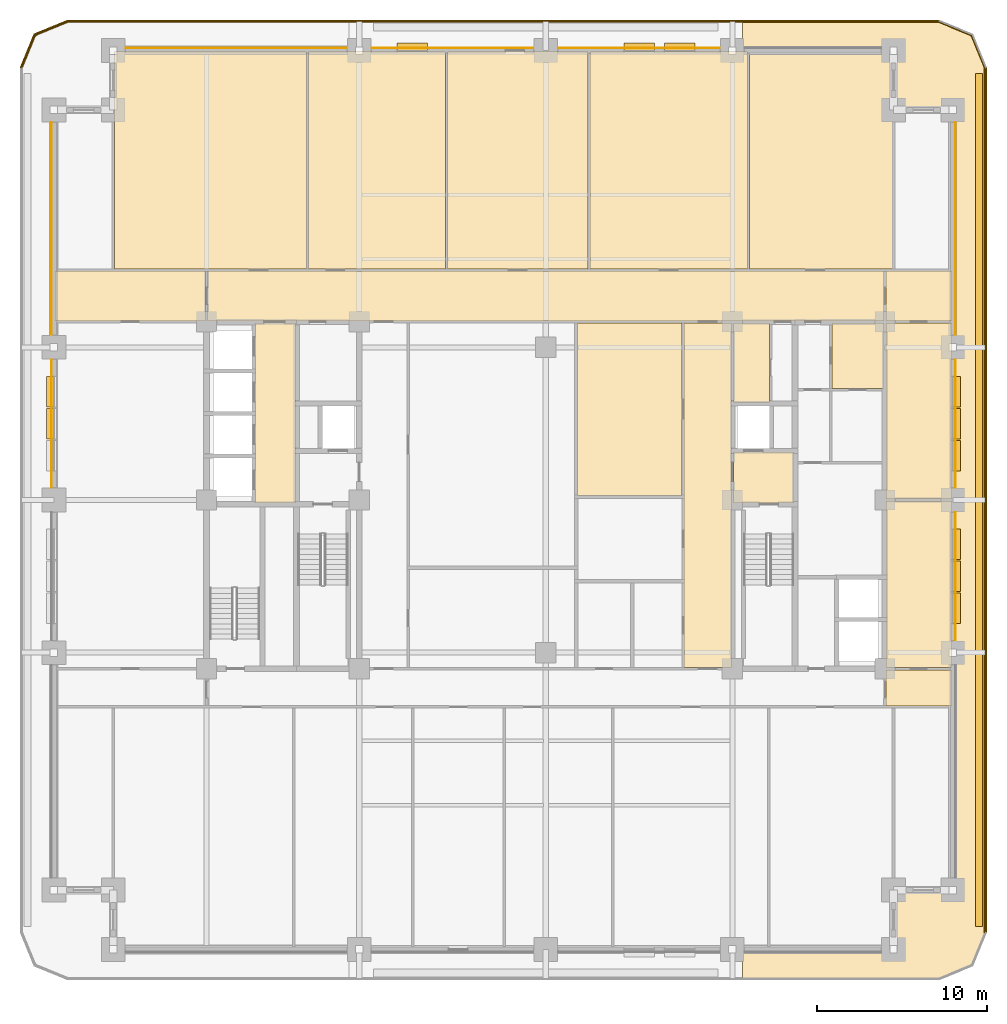
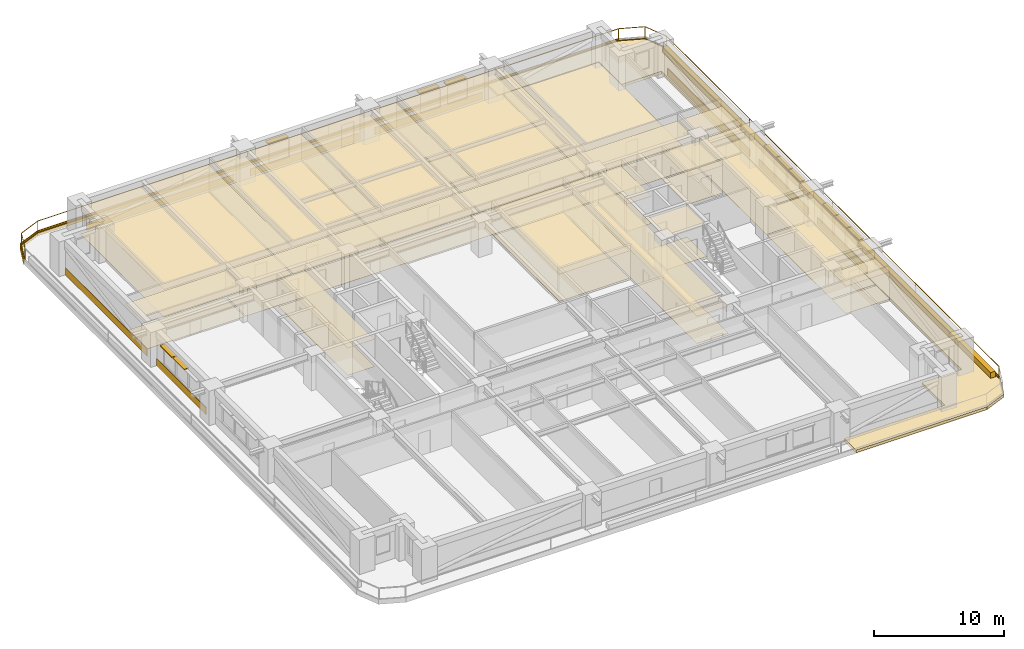
# One storey, part 15 of 16: 47 coverings, 11 shading devices, 2 railings.
"""IFC4 building model written with IfcOpenShell, lengths in metres."""

from ifc_helpers import new_model, si_unit, direction, frame, frame_2d, origin, origin_2d, place, context, subcontext, project, spatial, polyline, rectangle, outline, extrude, material, layer, layer_set, type_object, element, save


model = new_model("IFC4")

# Units and contexts
model_context = context("Model", 3, precision=1e-05, world=origin(), true_north=direction((0.0, 1.0)))
body_context = subcontext(model_context, "Body", "Model", "MODEL_VIEW")
ifc_project = project(units=[si_unit("LENGTHUNIT", "METRE"), si_unit("AREAUNIT", "SQUARE_METRE"), si_unit("VOLUMEUNIT", "CUBIC_METRE"), si_unit("PLANEANGLEUNIT", "RADIAN"), si_unit("MASSUNIT", "GRAM", prefix="KILO")], contexts=[model_context])

# Site, building, storey
site_placement = place(None, origin())
site = spatial("IfcSite", under=ifc_project, at=site_placement, CompositionType="ELEMENT")
building_placement = place(site_placement, origin())
building = spatial("IfcBuilding", under=site, at=building_placement, Name="Zulmaris Gate Convention Tower", CompositionType="ELEMENT")
storey_placement = place(building_placement, frame((0.0, 0.0, 67.89990234375)))
storey = spatial("IfcBuildingStorey", under=building, at=storey_placement, Name="L16", CompositionType="ELEMENT", Elevation=67.89990234375)

# Coverings
ifc_material_1 = material(Name="Precast concrete C40/50", Category="concrete")
ifc_layer_1 = layer(ifc_material_1, 0.0400390625, Name="Precast concrete C40/50")
ifc_layer_set_1 = layer_set([ifc_layer_1], Name="Precast concrete C40/50")
covering_type_1 = type_object("IfcCoveringType", Name="CLAD-SPANDREL-PRECAST", PredefinedType="CLADDING", material=ifc_layer_set_1)
covering_1_placement = place(storey_placement, frame((-11.72998046875, 26.64990234375, 0.0), z_axis=(0.0, 0.0, 1.0), x_axis=(-1.0, 0.0, 0.0)))
element("IfcCovering", 1, at=covering_1_placement, inside=storey, type_object=covering_type_1, Name="CLD-L16-N-0_0", PredefinedType="CLADDING", context=body_context, shape_type="SweptSolid", body=[
    extrude(rectangle(XDim=13.0400390625, YDim=0.0400390625, at=frame_2d((6.52001953125, 0.0))), origin(), (0.0, 0.0, 1.0), 0.679931640625),
])
for number, where, z_axis, x_axis, name in (
    (2, (-0.72998046875, 26.64990234375, 0.0), (0.0, 0.0, 1.0), (-1.0, 0.0, 0.0), "CLD-L16-N-1_0"),
    (3, (10.27001953125, 26.64990234375, 0.0), (0.0, 0.0, 1.0), (-1.0, 0.0, 0.0), "CLD-L16-N-2_0"),
):
    element("IfcCovering", number, at=place(storey_placement, frame(where, z_axis=z_axis, x_axis=x_axis)), inside=storey, type_object=covering_type_1, Name=name, PredefinedType="CLADDING", context=body_context, shape_type="SweptSolid", body=[
        extrude(rectangle(XDim=9.5400390625, YDim=0.0400390625, at=frame_2d((4.77001953125, 0.0))), origin(), (0.0, 0.0, 1.0), 0.679931640625),
    ])
for number, where, z_axis, x_axis, name in (
    (4, (24.14990234375, -8.27001953125, 0.0), (0.0, 0.0, 1.0), (0.0, 1.0, 0.0), "CLD-L16-E-1_0"),
    (5, (24.14990234375, 0.72998046875, 0.0), (0.0, 0.0, 1.0), (0.0, 1.0, 0.0), "CLD-L16-E-2_0"),
):
    element("IfcCovering", number, at=place(storey_placement, frame(where, z_axis=z_axis, x_axis=x_axis)), inside=storey, type_object=covering_type_1, Name=name, PredefinedType="CLADDING", context=body_context, shape_type="SweptSolid", body=[
        extrude(rectangle(XDim=7.5400390625, YDim=0.0400390625, at=frame_2d((3.77001953125, 0.0))), origin(), (0.0, 0.0, 1.0), 0.679931640625),
    ])
covering_2_placement = place(storey_placement, frame((24.14990234375, 9.72998046875, 0.0), z_axis=(0.0, 0.0, 1.0), x_axis=(0.0, 1.0, 0.0)))
element("IfcCovering", 6, at=covering_2_placement, inside=storey, type_object=covering_type_1, Name="CLD-L16-E-3_0", PredefinedType="CLADDING", context=body_context, shape_type="SweptSolid", body=[
    extrude(rectangle(XDim=12.5400390625, YDim=0.0400390625, at=frame_2d((6.27001953125, 0.0))), origin(), (0.0, 0.0, 1.0), 0.679931640625),
])
covering_3_placement = place(storey_placement, frame((-29.14990234375, 8.27001953125, 0.0), z_axis=(0.0, 0.0, 1.0), x_axis=(0.0, -1.0, 0.0)))
element("IfcCovering", 7, at=covering_3_placement, inside=storey, type_object=covering_type_1, Name="CLD-L16-W-2_0", PredefinedType="CLADDING", context=body_context, shape_type="SweptSolid", body=[
    extrude(rectangle(XDim=7.5400390625, YDim=0.0400390625, at=frame_2d((3.77001953125, 0.0))), origin(), (0.0, 0.0, 1.0), 0.679931640625),
])
covering_4_placement = place(storey_placement, frame((-29.14990234375, 22.27001953125, 0.0), z_axis=(0.0, 0.0, 1.0), x_axis=(0.0, -1.0, 0.0)))
element("IfcCovering", 8, at=covering_4_placement, inside=storey, type_object=covering_type_1, Name="CLD-L16-W-3_0", PredefinedType="CLADDING", context=body_context, shape_type="SweptSolid", body=[
    extrude(rectangle(XDim=12.5400390625, YDim=0.0400390625, at=frame_2d((6.27001953125, 0.0))), origin(), (0.0, 0.0, 1.0), 0.679931640625),
])
ifc_material_2 = material(Name="White Glazed Architectural Precast Concrete C40/50", Category="concrete")
ifc_layer_2 = layer(ifc_material_2, 0.239990234375, Name="White Glazed Architectural Precast Concrete C40/50")
ifc_layer_set_2 = layer_set([ifc_layer_2], Name="White Glazed Architectural Precast Concrete C40/50")
covering_type_2 = type_object("IfcCoveringType", Name="CLAD-TRAY-DECK", PredefinedType="CLADDING", material=ifc_layer_set_2)
covering_5_placement = place(storey_placement, frame((0.0, 0.0, -0.25)))
element("IfcCovering", 9, at=covering_5_placement, inside=storey, type_object=covering_type_2, Name="L16 East Rounded-Fascia Planter Tray Deck", PredefinedType="CLADDING", context=body_context, shape_type="SweptSolid", body=[
    extrude(outline(polyline([(23.199951171875, 28.300048828125), (25.179931640625, 27.47998046875), (26.0, 25.5), (26.0, -25.5), (25.179931640625, -27.47998046875), (23.199951171875, -28.300048828125), (11.60205078125, -28.300048828125), (11.60205078125, -26.5), (20.5, -26.5), (20.5, -23.0), (24.0, -23.0), (24.0, 23.0), (20.5, 23.0), (20.5, 26.5), (11.60205078125, 26.5), (11.60205078125, 28.300048828125), (23.199951171875, 28.300048828125)])), origin(), (0.0, 0.0, 1.0), 0.260009765625),
])
ifc_layer_3 = layer(ifc_material_2, 0.080078125, Name="White Glazed Architectural Precast Concrete C40/50")
ifc_layer_set_3 = layer_set([ifc_layer_3], Name="White Glazed Architectural Precast Concrete C40/50")
covering_type_3 = type_object("IfcCoveringType", Name="CLAD-TRAY-FASCIA", PredefinedType="CLADDING", material=ifc_layer_set_3)
covering_6_placement = place(storey_placement, frame((25.9599609375, -25.5, -0.2900390625), z_axis=(0.0, 0.0, 1.0), x_axis=(0.0, 1.0, 0.0)))
element("IfcCovering", 10, at=covering_6_placement, inside=storey, type_object=covering_type_3, Name="FSC-L16-TR-05", PredefinedType="CLADDING", context=body_context, shape_type="SweptSolid", body=[
    extrude(rectangle(XDim=51.0, YDim=0.080078125, at=frame_2d((25.5, 0.0))), origin(), (0.0, 0.0, 1.0), 0.4599609375),
])
covering_7_placement = place(storey_placement, frame((23.199951171875, 28.260009765625, -0.2900390625), z_axis=(0.0, 0.0, 1.0), x_axis=(-1.0, 0.0, 0.0)))
element("IfcCovering", 11, at=covering_7_placement, inside=storey, type_object=covering_type_3, Name="FSC-L16-TR-08", PredefinedType="CLADDING", context=body_context, shape_type="SweptSolid", body=[
    extrude(rectangle(XDim=51.39990234375, YDim=0.080078125, at=frame_2d((25.699951171875, 0.0))), origin(), (0.0, 0.0, 1.0), 0.4599609375),
])
covering_8_placement = place(storey_placement, frame((-28.184814453125, 28.262939453125, -0.2900390625), z_axis=(0.0, 0.0, 1.0), x_axis=(-0.923873803533, -0.382697263049, 0.0)))
element("IfcCovering", 12, at=covering_8_placement, inside=storey, type_object=covering_type_3, Name="FSC-L16-TR-09", PredefinedType="CLADDING", context=body_context, shape_type="SweptSolid", body=[
    extrude(rectangle(XDim=2.142822265625, YDim=0.080078125, at=frame_2d((1.0712890625, 0.0))), origin(), (0.0, 0.0, 1.0), 0.4599609375),
])
covering_9_placement = place(storey_placement, frame((-30.142822265625, 27.464599609375, -0.2900390625), z_axis=(0.0, 0.0, 1.0), x_axis=(-0.382656984709, -0.923890487046, 0.0)))
element("IfcCovering", 13, at=covering_9_placement, inside=storey, type_object=covering_type_3, Name="FSC-L16-TR-10", PredefinedType="CLADDING", context=body_context, shape_type="SweptSolid", body=[
    extrude(rectangle(XDim=2.14306640625, YDim=0.080078125, at=frame_2d((1.071533203125, 0.0))), origin(), (0.0, 0.0, 1.0), 0.4599609375),
])
ifc_material_3 = material(Name="Mineral Fibre Acoustic Ceiling Tile")
ifc_layer_4 = layer(ifc_material_3, 0.02001953125, Name="Mineral Fibre Acoustic Ceiling Tile")
ifc_layer_set_4 = layer_set([ifc_layer_4], Name="Mineral Fibre Acoustic Ceiling Tile")
covering_type_4 = type_object("IfcCoveringType", Name="CLG-ACOUSTIC-600", PredefinedType="CEILING", material=ifc_layer_set_4)
covering_10_placement = place(storey_placement, frame((0.0, 0.0, 2.965087890625)))
element("IfcCovering", 14, at=covering_10_placement, inside=storey, type_object=covering_type_4, Name="CLG-L16-R08", PredefinedType="CEILING", context=body_context, shape_type="SweptSolid", body=[
    extrude(outline(polyline([(11.06005859375, -0.18994140625), (14.639892578125, -0.18994140625), (14.639892578125, 2.840087890625), (11.06005859375, 2.840087890625), (11.06005859375, -0.18994140625)])), origin(), (0.0, 0.0, 1.0), 0.02001953125),
])
covering_11_placement = place(storey_placement, frame((0.0, 0.0, 2.552978515625)))
element("IfcCovering", 15, at=covering_11_placement, inside=storey, type_object=covering_type_4, Name="CLG-L16-R12", PredefinedType="CEILING", context=body_context, shape_type="SweptSolid", body=[
    extrude(outline(polyline([(11.06005859375, 5.760009765625), (13.18994140625, 5.760009765625), (13.18994140625, 10.43994140625), (11.06005859375, 10.43994140625), (11.06005859375, 5.760009765625)])), origin(), (0.0, 0.0, 1.0), 0.02001953125),
])
covering_12_placement = place(storey_placement, frame((0.0, 0.0, 2.552978515625)))
element("IfcCovering", 16, at=covering_12_placement, inside=storey, type_object=covering_type_4, Name="CLG-L16-R16", PredefinedType="CEILING", context=body_context, shape_type="SweptSolid", body=[
    extrude(outline(polyline([(-17.139892578125, -0.18994140625), (-14.760009765625, -0.18994140625), (-14.760009765625, 10.43994140625), (-17.139892578125, 10.43994140625), (-17.139892578125, -0.18994140625)])), origin(), (0.0, 0.0, 1.0), 0.02001953125),
])
covering_13_placement = place(storey_placement, frame((0.0, 0.0, 2.552978515625)))
element("IfcCovering", 17, at=covering_13_placement, inside=storey, type_object=covering_type_4, Name="CLG-L16-R27", PredefinedType="CEILING", context=body_context, shape_type="SweptSolid", body=[
    extrude(outline(polyline([(16.860107421875, 6.56005859375), (19.93994140625, 6.56005859375), (19.93994140625, 10.43994140625), (16.860107421875, 10.43994140625), (16.860107421875, 6.56005859375)])), origin(), (0.0, 0.0, 1.0), 0.02001953125),
])
covering_14_placement = place(storey_placement, frame((0.0, 0.0, 2.552978515625)))
element("IfcCovering", 18, at=covering_14_placement, inside=storey, type_object=covering_type_4, Name="CLG-L16-R31", PredefinedType="CEILING", context=body_context, shape_type="SweptSolid", body=[
    extrude(outline(polyline([(-19.93994140625, 10.56005859375), (19.93994140625, 10.56005859375), (19.93994140625, 13.489990234375), (-19.93994140625, 13.489990234375), (-19.93994140625, 10.56005859375)])), origin(), (0.0, 0.0, 1.0), 0.02001953125),
])
covering_15_placement = place(storey_placement, frame((0.0, 0.0, 2.552978515625)))
element("IfcCovering", 19, at=covering_15_placement, inside=storey, type_object=covering_type_4, Name="CLG-L16-R34", PredefinedType="CEILING", context=body_context, shape_type="SweptSolid", body=[
    extrude(outline(polyline([(8.159912109375, -9.889892578125), (10.93994140625, -9.889892578125), (10.93994140625, 10.43994140625), (8.159912109375, 10.43994140625), (8.159912109375, -9.889892578125)])), origin(), (0.0, 0.0, 1.0), 0.02001953125),
])
covering_16_placement = place(storey_placement, frame((0.0, 0.0, 2.552978515625)))
element("IfcCovering", 20, at=covering_16_placement, inside=storey, type_object=covering_type_4, Name="CLG-L16-R35", PredefinedType="CEILING", context=body_context, shape_type="SweptSolid", body=[
    extrude(outline(polyline([(-25.43994140625, 13.610107421875), (-14.110107421875, 13.610107421875), (-14.110107421875, 26.43994140625), (-25.43994140625, 26.43994140625), (-25.43994140625, 13.610107421875)])), origin(), (0.0, 0.0, 1.0), 0.02001953125),
])
covering_17_placement = place(storey_placement, frame((0.0, 0.0, 2.552978515625)))
element("IfcCovering", 21, at=covering_17_placement, inside=storey, type_object=covering_type_4, Name="CLG-L16-R36", PredefinedType="CEILING", context=body_context, shape_type="SweptSolid", body=[
    extrude(outline(polyline([(-13.989990234375, 13.610107421875), (-5.909912109375, 13.610107421875), (-5.909912109375, 26.43994140625), (-13.989990234375, 26.43994140625), (-13.989990234375, 13.610107421875)])), origin(), (0.0, 0.0, 1.0), 0.02001953125),
])
covering_18_placement = place(storey_placement, frame((0.0, 0.0, 2.552978515625)))
element("IfcCovering", 22, at=covering_18_placement, inside=storey, type_object=covering_type_4, Name="CLG-L16-R37", PredefinedType="CEILING", context=body_context, shape_type="SweptSolid", body=[
    extrude(outline(polyline([(-5.7900390625, 13.610107421875), (2.489990234375, 13.610107421875), (2.489990234375, 26.43994140625), (-5.7900390625, 26.43994140625), (-5.7900390625, 13.610107421875)])), origin(), (0.0, 0.0, 1.0), 0.02001953125),
])
covering_19_placement = place(storey_placement, frame((0.0, 0.0, 2.552978515625)))
element("IfcCovering", 23, at=covering_19_placement, inside=storey, type_object=covering_type_4, Name="CLG-L16-R38", PredefinedType="CEILING", context=body_context, shape_type="SweptSolid", body=[
    extrude(outline(polyline([(2.610107421875, 13.610107421875), (11.889892578125, 13.610107421875), (11.889892578125, 26.43994140625), (2.610107421875, 26.43994140625), (2.610107421875, 13.610107421875)])), origin(), (0.0, 0.0, 1.0), 0.02001953125),
])
covering_20_placement = place(storey_placement, frame((0.0, 0.0, 2.552978515625)))
element("IfcCovering", 24, at=covering_20_placement, inside=storey, type_object=covering_type_4, Name="CLG-L16-R48", PredefinedType="CEILING", context=body_context, shape_type="SweptSolid", body=[
    extrude(outline(polyline([(1.860107421875, 0.260009765625), (8.0400390625, 0.260009765625), (8.0400390625, 10.43994140625), (1.860107421875, 10.43994140625), (1.860107421875, 0.260009765625)])), origin(), (0.0, 0.0, 1.0), 0.02001953125),
])
covering_21_placement = place(storey_placement, frame((0.0, 0.0, 2.552978515625)))
element("IfcCovering", 25, at=covering_21_placement, inside=storey, type_object=covering_type_4, Name="CLG-L16-R52", PredefinedType="CEILING", context=body_context, shape_type="SweptSolid", body=[
    extrude(outline(polyline([(-28.93994140625, 10.56005859375), (-20.06005859375, 10.56005859375), (-20.06005859375, 13.489990234375), (-28.93994140625, 13.489990234375), (-28.93994140625, 10.56005859375)])), origin(), (0.0, 0.0, 1.0), 0.02001953125),
])
covering_22_placement = place(storey_placement, frame((0.0, 0.0, 2.552978515625)))
element("IfcCovering", 26, at=covering_22_placement, inside=storey, type_object=covering_type_4, Name="CLG-L16-R55", PredefinedType="CEILING", context=body_context, shape_type="SweptSolid", body=[
    extrude(outline(polyline([(20.06005859375, 10.56005859375), (23.93994140625, 10.56005859375), (23.93994140625, 13.489990234375), (20.06005859375, 13.489990234375), (20.06005859375, 10.56005859375)])), origin(), (0.0, 0.0, 1.0), 0.02001953125),
])
covering_23_placement = place(storey_placement, frame((0.0, 0.0, 2.552978515625)))
element("IfcCovering", 27, at=covering_23_placement, inside=storey, type_object=covering_type_4, Name="CLG-L16-R56", PredefinedType="CEILING", context=body_context, shape_type="SweptSolid", body=[
    extrude(outline(polyline([(20.06005859375, -12.139892578125), (23.93994140625, -12.139892578125), (23.93994140625, -10.010009765625), (20.06005859375, -10.010009765625), (20.06005859375, -12.139892578125)])), origin(), (0.0, 0.0, 1.0), 0.02001953125),
])
covering_24_placement = place(storey_placement, frame((0.0, 0.0, 2.552978515625)))
element("IfcCovering", 28, at=covering_24_placement, inside=storey, type_object=covering_type_4, Name="CLG-L16-R57", PredefinedType="CEILING", context=body_context, shape_type="SweptSolid", body=[
    extrude(outline(polyline([(20.06005859375, 0.06005859375), (23.93994140625, 0.06005859375), (23.93994140625, 10.43994140625), (20.06005859375, 10.43994140625), (20.06005859375, 0.06005859375)])), origin(), (0.0, 0.0, 1.0), 0.02001953125),
])
covering_25_placement = place(storey_placement, frame((0.0, 0.0, 2.552978515625)))
element("IfcCovering", 29, at=covering_25_placement, inside=storey, type_object=covering_type_4, Name="CLG-L16-R58", PredefinedType="CEILING", context=body_context, shape_type="SweptSolid", body=[
    extrude(outline(polyline([(20.06005859375, -9.889892578125), (23.93994140625, -9.889892578125), (23.93994140625, -0.06005859375), (20.06005859375, -0.06005859375), (20.06005859375, -9.889892578125)])), origin(), (0.0, 0.0, 1.0), 0.02001953125),
])
ifc_material_4 = material(Name="Woven Acoustic Wool Carpet Tile")
ifc_layer_5 = layer(ifc_material_4, 0.02001953125, Name="Woven Acoustic Wool Carpet Tile")
ifc_layer_set_5 = layer_set([ifc_layer_5], Name="Woven Acoustic Wool Carpet Tile")
covering_type_5 = type_object("IfcCoveringType", Name="FLR-CARPET-12", PredefinedType="FLOORING", material=ifc_layer_set_5)
covering_26_placement = place(storey_placement, origin())
element("IfcCovering", 30, at=covering_26_placement, inside=storey, type_object=covering_type_5, Name="FLR-L16-R08", PredefinedType="FLOORING", context=body_context, shape_type="SweptSolid", body=[
    extrude(outline(polyline([(11.06005859375, -0.18994140625), (14.639892578125, -0.18994140625), (14.639892578125, 2.840087890625), (11.06005859375, 2.840087890625), (11.06005859375, -0.18994140625)])), origin(), (0.0, 0.0, 1.0), 0.02001953125),
])
covering_27_placement = place(storey_placement, origin())
element("IfcCovering", 31, at=covering_27_placement, inside=storey, type_object=covering_type_5, Name="FLR-L16-R12", PredefinedType="FLOORING", context=body_context, shape_type="SweptSolid", body=[
    extrude(outline(polyline([(11.06005859375, 5.760009765625), (13.18994140625, 5.760009765625), (13.18994140625, 10.43994140625), (11.06005859375, 10.43994140625), (11.06005859375, 5.760009765625)])), origin(), (0.0, 0.0, 1.0), 0.02001953125),
])
covering_28_placement = place(storey_placement, origin())
element("IfcCovering", 32, at=covering_28_placement, inside=storey, type_object=covering_type_5, Name="FLR-L16-R16", PredefinedType="FLOORING", context=body_context, shape_type="SweptSolid", body=[
    extrude(outline(polyline([(-17.139892578125, -0.18994140625), (-14.760009765625, -0.18994140625), (-14.760009765625, 10.43994140625), (-17.139892578125, 10.43994140625), (-17.139892578125, -0.18994140625)])), origin(), (0.0, 0.0, 1.0), 0.02001953125),
])
covering_29_placement = place(storey_placement, origin())
element("IfcCovering", 33, at=covering_29_placement, inside=storey, type_object=covering_type_5, Name="FLR-L16-R27", PredefinedType="FLOORING", context=body_context, shape_type="SweptSolid", body=[
    extrude(outline(polyline([(16.860107421875, 6.56005859375), (19.93994140625, 6.56005859375), (19.93994140625, 10.43994140625), (16.860107421875, 10.43994140625), (16.860107421875, 6.56005859375)])), origin(), (0.0, 0.0, 1.0), 0.02001953125),
])
covering_30_placement = place(storey_placement, origin())
element("IfcCovering", 34, at=covering_30_placement, inside=storey, type_object=covering_type_5, Name="FLR-L16-R31", PredefinedType="FLOORING", context=body_context, shape_type="SweptSolid", body=[
    extrude(outline(polyline([(-19.93994140625, 10.56005859375), (19.93994140625, 10.56005859375), (19.93994140625, 13.489990234375), (-19.93994140625, 13.489990234375), (-19.93994140625, 10.56005859375)])), origin(), (0.0, 0.0, 1.0), 0.02001953125),
])
covering_31_placement = place(storey_placement, origin())
element("IfcCovering", 35, at=covering_31_placement, inside=storey, type_object=covering_type_5, Name="FLR-L16-R34", PredefinedType="FLOORING", context=body_context, shape_type="SweptSolid", body=[
    extrude(outline(polyline([(8.159912109375, -9.889892578125), (10.93994140625, -9.889892578125), (10.93994140625, 10.43994140625), (8.159912109375, 10.43994140625), (8.159912109375, -9.889892578125)])), origin(), (0.0, 0.0, 1.0), 0.02001953125),
])
covering_32_placement = place(storey_placement, origin())
element("IfcCovering", 36, at=covering_32_placement, inside=storey, type_object=covering_type_5, Name="FLR-L16-R36", PredefinedType="FLOORING", context=body_context, shape_type="SweptSolid", body=[
    extrude(outline(polyline([(-13.989990234375, 13.610107421875), (-5.909912109375, 13.610107421875), (-5.909912109375, 26.43994140625), (-13.989990234375, 26.43994140625), (-13.989990234375, 13.610107421875)])), origin(), (0.0, 0.0, 1.0), 0.02001953125),
])
covering_33_placement = place(storey_placement, origin())
element("IfcCovering", 37, at=covering_33_placement, inside=storey, type_object=covering_type_5, Name="FLR-L16-R37", PredefinedType="FLOORING", context=body_context, shape_type="SweptSolid", body=[
    extrude(outline(polyline([(-5.7900390625, 13.610107421875), (2.489990234375, 13.610107421875), (2.489990234375, 26.43994140625), (-5.7900390625, 26.43994140625), (-5.7900390625, 13.610107421875)])), origin(), (0.0, 0.0, 1.0), 0.02001953125),
])
covering_34_placement = place(storey_placement, origin())
element("IfcCovering", 38, at=covering_34_placement, inside=storey, type_object=covering_type_5, Name="FLR-L16-R38", PredefinedType="FLOORING", context=body_context, shape_type="SweptSolid", body=[
    extrude(outline(polyline([(2.610107421875, 13.610107421875), (11.889892578125, 13.610107421875), (11.889892578125, 26.43994140625), (2.610107421875, 26.43994140625), (2.610107421875, 13.610107421875)])), origin(), (0.0, 0.0, 1.0), 0.02001953125),
])
covering_35_placement = place(storey_placement, origin())
element("IfcCovering", 39, at=covering_35_placement, inside=storey, type_object=covering_type_5, Name="FLR-L16-R48", PredefinedType="FLOORING", context=body_context, shape_type="SweptSolid", body=[
    extrude(outline(polyline([(1.860107421875, 0.260009765625), (8.0400390625, 0.260009765625), (8.0400390625, 10.43994140625), (1.860107421875, 10.43994140625), (1.860107421875, 0.260009765625)])), origin(), (0.0, 0.0, 1.0), 0.02001953125),
])
covering_36_placement = place(storey_placement, origin())
element("IfcCovering", 40, at=covering_36_placement, inside=storey, type_object=covering_type_5, Name="FLR-L16-R52", PredefinedType="FLOORING", context=body_context, shape_type="SweptSolid", body=[
    extrude(outline(polyline([(-28.93994140625, 10.56005859375), (-20.06005859375, 10.56005859375), (-20.06005859375, 13.489990234375), (-28.93994140625, 13.489990234375), (-28.93994140625, 10.56005859375)])), origin(), (0.0, 0.0, 1.0), 0.02001953125),
])
covering_37_placement = place(storey_placement, origin())
element("IfcCovering", 41, at=covering_37_placement, inside=storey, type_object=covering_type_5, Name="FLR-L16-R55", PredefinedType="FLOORING", context=body_context, shape_type="SweptSolid", body=[
    extrude(outline(polyline([(20.06005859375, 10.56005859375), (23.93994140625, 10.56005859375), (23.93994140625, 13.489990234375), (20.06005859375, 13.489990234375), (20.06005859375, 10.56005859375)])), origin(), (0.0, 0.0, 1.0), 0.02001953125),
])
covering_38_placement = place(storey_placement, origin())
element("IfcCovering", 42, at=covering_38_placement, inside=storey, type_object=covering_type_5, Name="FLR-L16-R56", PredefinedType="FLOORING", context=body_context, shape_type="SweptSolid", body=[
    extrude(outline(polyline([(20.06005859375, -12.139892578125), (23.93994140625, -12.139892578125), (23.93994140625, -10.010009765625), (20.06005859375, -10.010009765625), (20.06005859375, -12.139892578125)])), origin(), (0.0, 0.0, 1.0), 0.02001953125),
])
covering_39_placement = place(storey_placement, origin())
element("IfcCovering", 43, at=covering_39_placement, inside=storey, type_object=covering_type_5, Name="FLR-L16-R57", PredefinedType="FLOORING", context=body_context, shape_type="SweptSolid", body=[
    extrude(outline(polyline([(20.06005859375, 0.06005859375), (23.93994140625, 0.06005859375), (23.93994140625, 10.43994140625), (20.06005859375, 10.43994140625), (20.06005859375, 0.06005859375)])), origin(), (0.0, 0.0, 1.0), 0.02001953125),
])
covering_40_placement = place(storey_placement, origin())
element("IfcCovering", 44, at=covering_40_placement, inside=storey, type_object=covering_type_5, Name="FLR-L16-R58", PredefinedType="FLOORING", context=body_context, shape_type="SweptSolid", body=[
    extrude(outline(polyline([(20.06005859375, -9.889892578125), (23.93994140625, -9.889892578125), (23.93994140625, -0.06005859375), (20.06005859375, -0.06005859375), (20.06005859375, -9.889892578125)])), origin(), (0.0, 0.0, 1.0), 0.02001953125),
])
ifc_material_5 = material(Name="Engineered Teak Parquet Flooring")
ifc_layer_6 = layer(ifc_material_5, 0.02001953125, Name="Engineered Teak Parquet Flooring")
ifc_layer_set_6 = layer_set([ifc_layer_6], Name="Engineered Teak Parquet Flooring")
covering_type_6 = type_object("IfcCoveringType", Name="FLR-TIMBER-18", PredefinedType="FLOORING", material=ifc_layer_set_6)
covering_41_placement = place(storey_placement, origin())
element("IfcCovering", 45, at=covering_41_placement, inside=storey, type_object=covering_type_6, Name="FLR-L16-R35", PredefinedType="FLOORING", context=body_context, shape_type="SweptSolid", body=[
    extrude(outline(polyline([(-25.43994140625, 13.610107421875), (-14.110107421875, 13.610107421875), (-14.110107421875, 26.43994140625), (-25.43994140625, 26.43994140625), (-25.43994140625, 13.610107421875)])), origin(), (0.0, 0.0, 1.0), 0.02001953125),
])
covering_42_placement = place(storey_placement, origin())
element("IfcCovering", 46, at=covering_42_placement, inside=storey, type_object=covering_type_6, Name="FLR-L16-R39", PredefinedType="FLOORING", context=body_context, shape_type="SweptSolid", body=[
    extrude(outline(polyline([(12.010009765625, 13.610107421875), (20.43994140625, 13.610107421875), (20.43994140625, 26.43994140625), (12.010009765625, 26.43994140625), (12.010009765625, 13.610107421875)])), origin(), (0.0, 0.0, 1.0), 0.02001953125),
])
ifc_material_6 = material(Name="Botanical Green Glazed Precast Concrete C40/50", Category="concrete")
ifc_layer_7 = layer(ifc_material_6, 0.419921875, Name="Botanical Green Glazed Precast Concrete C40/50")
ifc_layer_set_7 = layer_set([ifc_layer_7], Name="Botanical Green Glazed Precast Concrete C40/50")
covering_type_7 = type_object("IfcCoveringType", Name="PLANTER-BOX-200", PredefinedType="CLADDING", material=ifc_layer_set_7)
covering_43_placement = place(storey_placement, frame((0.0, 0.0, 0.010009765625)))
element("IfcCovering", 47, at=covering_43_placement, inside=storey, type_object=covering_type_7, Name="L16 E Full-Length Balcony Tree Planter Trough", PredefinedType="CLADDING", context=body_context, shape_type="SweptSolid", body=[
    extrude(outline(polyline([(25.340087890625, -25.14990234375), (25.760009765625, -25.14990234375), (25.760009765625, 25.14990234375), (25.340087890625, 25.14990234375), (25.340087890625, -25.14990234375)])), origin(), (0.0, 0.0, 1.0), 0.52001953125),
])

# Railings
ifc_material_7 = material(Name="Laminated Glass and Stainless Steel", Category="steel")
railing_type = type_object("IfcRailingType", Name="RL-BALC-1150", PredefinedType="BALUSTRADE", material=ifc_material_7)
railing_1_placement = place(storey_placement, frame((25.8798828125, -25.5, 0.010009765625)))
element("IfcRailing", 48, at=railing_1_placement, inside=storey, type_object=railing_type, Name="RL-L16-BALC-E", PredefinedType="BALUSTRADE", context=body_context, shape_type="SweptSolid", body=[
    extrude(rectangle(XDim=0.048095703125, YDim=0.048095703125, at=origin_2d()), frame((0.0, 0.0, 1.1259765625), z_axis=(0.0, 1.0, 0.0), x_axis=(-1.0, 0.0, 0.0)), (0.0, 0.0, 1.0), 51.0),
    extrude(rectangle(XDim=0.048095703125, YDim=0.048095703125, at=origin_2d()), frame((0.0, 0.0, 0.02392578125), z_axis=(0.0, 1.0, 0.0), x_axis=(-1.0, 0.0, 0.0)), (0.0, 0.0, 1.0), 51.0),
    extrude(rectangle(XDim=0.0419921875, YDim=0.0419921875, at=origin_2d()), origin(), (0.0, 0.0, 1.0), 1.101806640625),
    extrude(rectangle(XDim=0.0419921875, YDim=0.0419921875, at=origin_2d()), frame((0.0, 12.75, 0.0)), (0.0, 0.0, 1.0), 1.101806640625),
    extrude(rectangle(XDim=0.0419921875, YDim=0.0419921875, at=origin_2d()), frame((0.0, 25.5, 0.0)), (0.0, 0.0, 1.0), 1.101806640625),
    extrude(rectangle(XDim=0.0419921875, YDim=0.0419921875, at=origin_2d()), frame((0.0, 38.25, 0.0)), (0.0, 0.0, 1.0), 1.101806640625),
    extrude(rectangle(XDim=0.0419921875, YDim=0.0419921875, at=origin_2d()), frame((0.0, 51.0, 0.0)), (0.0, 0.0, 1.0), 1.101806640625),
])
railing_2_placement = place(storey_placement, frame((25.8798828125, 25.5, 0.010009765625)))
element("IfcRailing", 49, at=railing_2_placement, inside=storey, type_object=railing_type, Name="RL-L16-BALC-N", PredefinedType="BALUSTRADE", context=body_context, shape_type="SweptSolid", body=[
    extrude(rectangle(XDim=0.048095703125, YDim=0.048095703125, at=origin_2d()), frame((0.0, 0.0, 1.1259765625), z_axis=(-0.382670664694, 0.92388482095, 0.0), x_axis=(-0.92388482095, -0.382670664694, 0.0)), (0.0, 0.0, 1.0), 2.051025390625),
    extrude(rectangle(XDim=0.048095703125, YDim=0.048095703125, at=origin_2d()), frame((0.0, 0.0, 0.02392578125), z_axis=(-0.382670664694, 0.92388482095, 0.0), x_axis=(-0.92388482095, -0.382670664694, 0.0)), (0.0, 0.0, 1.0), 2.051025390625),
    extrude(rectangle(XDim=0.048095703125, YDim=0.048095703125, at=origin_2d()), frame((-0.784912109375, 1.89501953125, 1.1259765625), z_axis=(-0.92388482095, 0.382670664694, 0.0), x_axis=(-0.382670664694, -0.92388482095, 0.0)), (0.0, 0.0, 1.0), 2.051025390625),
    extrude(rectangle(XDim=0.048095703125, YDim=0.048095703125, at=origin_2d()), frame((-0.784912109375, 1.89501953125, 0.02392578125), z_axis=(-0.92388482095, 0.382670664694, 0.0), x_axis=(-0.382670664694, -0.92388482095, 0.0)), (0.0, 0.0, 1.0), 2.051025390625),
    extrude(rectangle(XDim=0.048095703125, YDim=0.048095703125, at=origin_2d()), frame((-2.679931640625, 2.679931640625, 1.1259765625), z_axis=(-1.0, 0.0, 0.0), x_axis=(0.0, -1.0, 0.0)), (0.0, 0.0, 1.0), 51.39990234375),
    extrude(rectangle(XDim=0.048095703125, YDim=0.048095703125, at=origin_2d()), frame((-2.679931640625, 2.679931640625, 0.02392578125), z_axis=(-1.0, 0.0, 0.0), x_axis=(0.0, -1.0, 0.0)), (0.0, 0.0, 1.0), 51.39990234375),
    extrude(rectangle(XDim=0.048095703125, YDim=0.048095703125, at=origin_2d()), frame((-54.079833984375, 2.679931640625, 1.1259765625), z_axis=(-0.92388482095, -0.382670664694, 0.0), x_axis=(0.382670664694, -0.92388482095, 0.0)), (0.0, 0.0, 1.0), 2.051025390625),
    extrude(rectangle(XDim=0.048095703125, YDim=0.048095703125, at=origin_2d()), frame((-54.079833984375, 2.679931640625, 0.02392578125), z_axis=(-0.92388482095, -0.382670664694, 0.0), x_axis=(0.382670664694, -0.92388482095, 0.0)), (0.0, 0.0, 1.0), 2.051025390625),
    extrude(rectangle(XDim=0.048095703125, YDim=0.048095703125, at=origin_2d()), frame((-55.974853515625, 1.89501953125, 1.1259765625), z_axis=(-0.382670664694, -0.92388482095, 0.0), x_axis=(0.92388482095, -0.382670664694, 0.0)), (0.0, 0.0, 1.0), 2.051025390625),
    extrude(rectangle(XDim=0.048095703125, YDim=0.048095703125, at=origin_2d()), frame((-55.974853515625, 1.89501953125, 0.02392578125), z_axis=(-0.382670664694, -0.92388482095, 0.0), x_axis=(0.92388482095, -0.382670664694, 0.0)), (0.0, 0.0, 1.0), 2.051025390625),
    extrude(rectangle(XDim=0.0419921875, YDim=0.0419921875, at=origin_2d()), origin(), (0.0, 0.0, 1.0), 1.101806640625),
    extrude(rectangle(XDim=0.0419921875, YDim=0.0419921875, at=origin_2d()), frame((-0.784912109375, 1.89501953125, 0.0)), (0.0, 0.0, 1.0), 1.101806640625),
    extrude(rectangle(XDim=0.0419921875, YDim=0.0419921875, at=origin_2d()), frame((-2.679931640625, 2.679931640625, 0.0)), (0.0, 0.0, 1.0), 1.101806640625),
    extrude(rectangle(XDim=0.0419921875, YDim=0.0419921875, at=origin_2d()), frame((-15.52978515625, 2.679931640625, 0.0)), (0.0, 0.0, 1.0), 1.101806640625),
    extrude(rectangle(XDim=0.0419921875, YDim=0.0419921875, at=origin_2d()), frame((-28.3798828125, 2.679931640625, 0.0)), (0.0, 0.0, 1.0), 1.101806640625),
    extrude(rectangle(XDim=0.0419921875, YDim=0.0419921875, at=origin_2d()), frame((-41.22998046875, 2.679931640625, 0.0)), (0.0, 0.0, 1.0), 1.101806640625),
    extrude(rectangle(XDim=0.0419921875, YDim=0.0419921875, at=origin_2d()), frame((-54.079833984375, 2.679931640625, 0.0)), (0.0, 0.0, 1.0), 1.101806640625),
    extrude(rectangle(XDim=0.0419921875, YDim=0.0419921875, at=origin_2d()), frame((-55.974853515625, 1.89501953125, 0.0)), (0.0, 0.0, 1.0), 1.101806640625),
    extrude(rectangle(XDim=0.0419921875, YDim=0.0419921875, at=origin_2d()), frame((-56.759765625, 0.0, 0.0)), (0.0, 0.0, 1.0), 1.101806640625),
])

# Shading devices
ifc_material_8 = material(Name="Glazed Ceramic Terracotta", Category="masonry")
ifc_layer_8 = layer(ifc_material_8, 0.070068359375, Name="Glazed Ceramic Terracotta")
ifc_layer_set_8 = layer_set([ifc_layer_8], Name="Glazed Ceramic Terracotta")
shading_device_type = type_object("IfcShadingDeviceType", Name="SHD-SUNSHADE-TC", PredefinedType="AWNING", material=ifc_layer_set_8)
for number, where, z_axis, x_axis, name in (
    (50, (-6.985107421875, 26.719970703125, 2.530029296875), (0.0, 0.0, 1.0), (-1.0, 0.0, 0.0), "SHD-EW-L16-N-1_0-3"),
    (51, (8.784912109375, 26.719970703125, 2.530029296875), (0.0, 0.0, 1.0), (-1.0, 0.0, 0.0), "SHD-EW-L16-N-2_0-1"),
    (52, (6.39990234375, 26.719970703125, 2.530029296875), (0.0, 0.0, 1.0), (-1.0, 0.0, 0.0), "SHD-EW-L16-N-2_0-2"),
    (53, (24.219970703125, -7.284912109375, 2.530029296875), (0.0, 0.0, 1.0), (0.0, 1.0, 0.0), "SHD-EW-L16-E-1_0-1"),
    (54, (24.219970703125, -5.39990234375, 2.530029296875), (0.0, 0.0, 1.0), (0.0, 1.0, 0.0), "SHD-EW-L16-E-1_0-2"),
    (55, (24.219970703125, -3.514892578125, 2.530029296875), (0.0, 0.0, 1.0), (0.0, 1.0, 0.0), "SHD-EW-L16-E-1_0-3"),
    (56, (24.219970703125, 1.715087890625, 2.530029296875), (0.0, 0.0, 1.0), (0.0, 1.0, 0.0), "SHD-EW-L16-E-2_0-1"),
    (57, (24.219970703125, 3.60009765625, 2.530029296875), (0.0, 0.0, 1.0), (0.0, 1.0, 0.0), "SHD-EW-L16-E-2_0-2"),
    (58, (24.219970703125, 5.485107421875, 2.530029296875), (0.0, 0.0, 1.0), (0.0, 1.0, 0.0), "SHD-EW-L16-E-2_0-3"),
    (59, (-29.219970703125, 7.284912109375, 2.530029296875), (0.0, 0.0, 1.0), (0.0, -1.0, 0.0), "SHD-EW-L16-W-2_0-1"),
    (60, (-29.219970703125, 5.39990234375, 2.530029296875), (0.0, 0.0, 1.0), (0.0, -1.0, 0.0), "SHD-EW-L16-W-2_0-2"),
):
    element("IfcShadingDevice", number, at=place(storey_placement, frame(where, z_axis=z_axis, x_axis=x_axis)), inside=storey, type_object=shading_device_type, Name=name, PredefinedType="AWNING", context=body_context, shape_type="SweptSolid", body=[
        extrude(rectangle(XDim=1.7998046875, YDim=0.43994140625, at=frame_2d((0.89990234375, 0.0))), origin(), (0.0, 0.0, 1.0), 0.070068359375),
    ])

save(model, "model.ifc")
